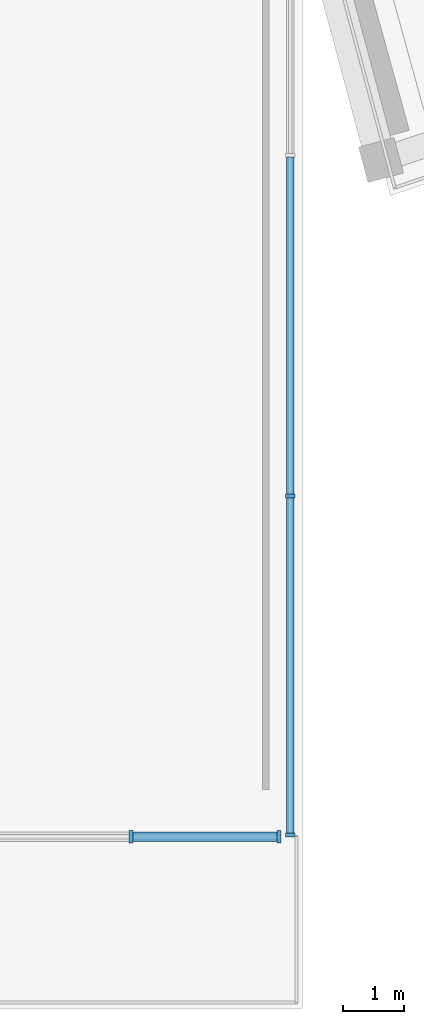
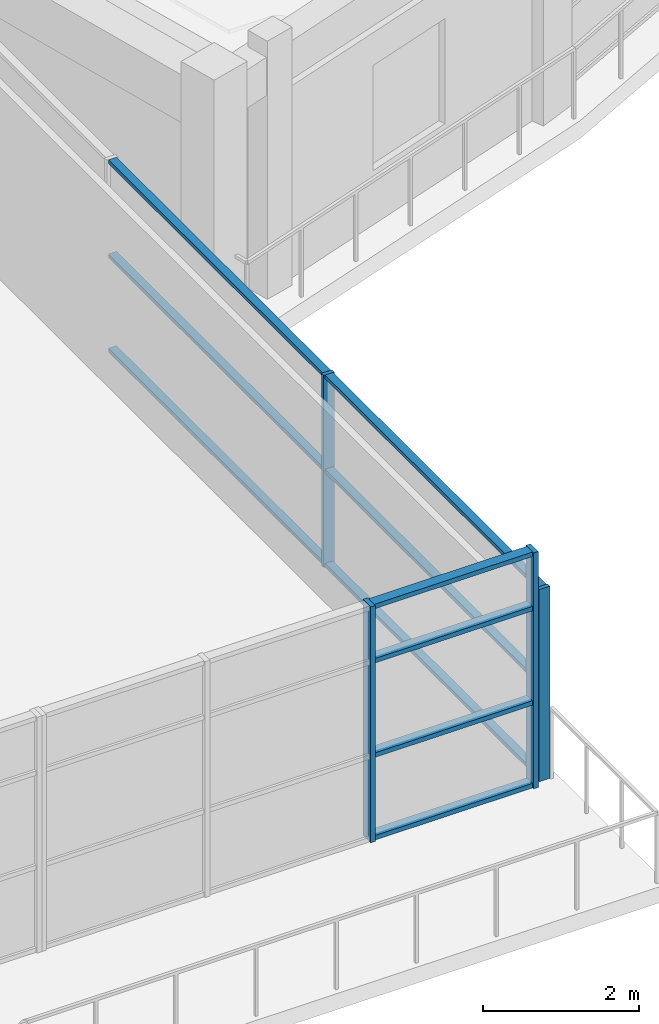
# One storey, part 17 of 83: 14 members, 2 elements without a shape of their own.
"""IFC4 building model written with IfcOpenShell, lengths in metres."""

from ifc_helpers import new_model, si_unit, direction, frame, origin, origin_2d, place, context, subcontext, project, spatial, rectangle, extrude, material, material_profile, profile_set, type_object, element, aggregate, save


model = new_model("IFC4")

# Units and contexts
model_context = context("Model", 3, precision=1e-05, world=origin(), true_north=direction((0.0, 1.0)))
body_context = subcontext(model_context, "Body", "Model", "MODEL_VIEW")
ifc_project = project(units=[si_unit("LENGTHUNIT", "METRE"), si_unit("AREAUNIT", "SQUARE_METRE"), si_unit("VOLUMEUNIT", "CUBIC_METRE"), si_unit("PLANEANGLEUNIT", "RADIAN"), si_unit("MASSUNIT", "GRAM", prefix="KILO")], contexts=[model_context])

# Site, building, storey
site_placement = place(None, origin())
site = spatial("IfcSite", under=ifc_project, at=site_placement, CompositionType="ELEMENT")
building_placement = place(site_placement, origin())
building = spatial("IfcBuilding", under=site, at=building_placement, Name="Saryqyr Civic Hall", CompositionType="ELEMENT")
storey_placement = place(building_placement, frame((0.0, 0.0, 9.14990234375)))
storey = spatial("IfcBuildingStorey", under=building, at=storey_placement, Name="L02", CompositionType="ELEMENT", Elevation=9.14990234375)

# Curtain wall, members
ifc_material_1 = material(Name="Anodised aluminium and triple low-E glass", Category="aluminium")
curtain_wall_type_1 = type_object("IfcCurtainWallType", Name="ENV-CW-STD-78", PredefinedType="NOTDEFINED", material=ifc_material_1)
curtain_wall_1_placement = place(storey_placement, origin())
curtain_wall_1 = element("IfcCurtainWall", 1, at=curtain_wall_1_placement, inside=storey, type_object=curtain_wall_type_1, Name="Curtain wall V2-VESTFLK-SE-L02", PredefinedType="NOTDEFINED")
ifc_material_2 = material(Name="Anodised aluminium", Category="aluminium")
ifc_material_profile_1 = material_profile(ifc_material_2, rectangle(XDim=0.06005859375, YDim=0.159912109375, at=origin_2d()), Name="ALU MULLION 60x160")
ifc_profile_set_1 = profile_set([ifc_material_profile_1], Name="Anodised aluminium")
member_type_1 = type_object("IfcMemberType", Name="ENV-CW-MUL-180", PredefinedType="MULLION", material=ifc_profile_set_1)
member_1_placement = place(storey_placement, frame((68.199951171875, 31.179443359375, 0.0), z_axis=(0.0, 0.0, 1.0), x_axis=(0.0, -1.0, 0.0)))
member_1 = element("IfcMember", 2, at=member_1_placement, type_object=member_type_1, Name="CW-78 mullion 3", PredefinedType="MULLION", context=body_context, shape_type="SweptSolid", body=[
    extrude(rectangle(XDim=0.06005859375, YDim=0.159912109375, at=origin_2d()), origin(), (0.0, 0.0, 1.0), 3.01513671875),
])
member_2_placement = place(storey_placement, frame((68.199951171875, 25.639892578125, 0.0), z_axis=(0.0, 0.0, 1.0), x_axis=(0.0, -1.0, 0.0)))
member_2 = element("IfcMember", 3, at=member_2_placement, type_object=member_type_1, Name="CW-78 mullion 4", PredefinedType="MULLION", context=body_context, shape_type="SweptSolid", body=[
    extrude(rectangle(XDim=0.06005859375, YDim=0.159912109375, at=origin_2d()), origin(), (0.0, 0.0, 1.0), 3.01513671875),
])

curtain_wall_type_2 = type_object("IfcCurtainWallType", Name="ENV-CW-HVY-69", PredefinedType="NOTDEFINED", material=ifc_material_1)
curtain_wall_2_placement = place(storey_placement, origin())
curtain_wall_2 = element("IfcCurtainWall", 4, at=curtain_wall_2_placement, inside=storey, type_object=curtain_wall_type_2, Name="Curtain wall V2-PORTAL-CW-S-L02-2", PredefinedType="NOTDEFINED")
ifc_material_profile_2 = material_profile(ifc_material_2, rectangle(XDim=0.070068359375, YDim=0.199951171875, at=origin_2d()), Name="ALU MULLION 70x200")
ifc_profile_set_2 = profile_set([ifc_material_profile_2], Name="Anodised aluminium")
member_type_2 = type_object("IfcMemberType", Name="ENV-CW-MUL-220", PredefinedType="MULLION", material=ifc_profile_set_2)
member_3_placement = place(storey_placement, frame((68.014892578125, 25.610107421875, 0.0), z_axis=(0.0, 0.0, 1.0), x_axis=(-1.0, 0.0, 0.0)))
member_3 = element("IfcMember", 5, at=member_3_placement, type_object=member_type_2, Name="CW-69 mullion 1", PredefinedType="MULLION", context=body_context, shape_type="SweptSolid", body=[
    extrude(rectangle(XDim=0.070068359375, YDim=0.199951171875, at=origin_2d()), origin(), (0.0, 0.0, 1.0), 3.7001953125),
])
member_4_placement = place(storey_placement, frame((65.594482421875, 25.610107421875, 0.0), z_axis=(0.0, 0.0, 1.0), x_axis=(-1.0, 0.0, 0.0)))
member_4 = element("IfcMember", 6, at=member_4_placement, type_object=member_type_2, Name="CW-69 mullion 2", PredefinedType="MULLION", context=body_context, shape_type="SweptSolid", body=[
    extrude(rectangle(XDim=0.070068359375, YDim=0.199951171875, at=origin_2d()), origin(), (0.0, 0.0, 1.0), 3.7001953125),
])

# Member
ifc_material_profile_3 = material_profile(ifc_material_2, rectangle(XDim=0.1201171875, YDim=0.06005859375, at=origin_2d()), Name="ALU TRANSOM 120x60")
ifc_profile_set_3 = profile_set([ifc_material_profile_3], Name="Anodised aluminium")
member_type_3 = type_object("IfcMemberType", Name="ENV-CW-TRN-150", PredefinedType="USERDEFINED", material=ifc_profile_set_3)
member_5_placement = place(storey_placement, frame((68.199951171875, 36.718994140625, 0.030029296875), z_axis=(0.0, -1.0, 0.0), x_axis=(1.0, 0.0, 0.0)))
member_5 = element("IfcMember", 7, at=member_5_placement, type_object=member_type_3, Name="CW-78 transom 2.1", ObjectType="TRANSOM", PredefinedType="USERDEFINED", context=body_context, shape_type="SweptSolid", body=[
    extrude(rectangle(XDim=0.1201171875, YDim=0.06005859375, at=origin_2d()), origin(), (0.0, 0.0, 1.0), 5.509521484375),
])

member_6_placement = place(storey_placement, frame((68.199951171875, 36.718994140625, 1.508056640625), z_axis=(0.0, -1.0, 0.0), x_axis=(1.0, 0.0, 0.0)))
member_6 = element("IfcMember", 8, at=member_6_placement, type_object=member_type_3, Name="CW-78 transom 2.2", ObjectType="TRANSOM", PredefinedType="USERDEFINED", context=body_context, shape_type="SweptSolid", body=[
    extrude(rectangle(XDim=0.1201171875, YDim=0.06005859375, at=origin_2d()), origin(), (0.0, 0.0, 1.0), 5.509521484375),
])

member_7_placement = place(storey_placement, frame((68.199951171875, 36.718994140625, 2.985107421875), z_axis=(0.0, -1.0, 0.0), x_axis=(1.0, 0.0, 0.0)))
member_7 = element("IfcMember", 9, at=member_7_placement, type_object=member_type_3, Name="CW-78 transom 2.3", ObjectType="TRANSOM", PredefinedType="USERDEFINED", context=body_context, shape_type="SweptSolid", body=[
    extrude(rectangle(XDim=0.1201171875, YDim=0.06005859375, at=origin_2d()), origin(), (0.0, 0.0, 1.0), 5.509521484375),
])

member_8_placement = place(storey_placement, frame((68.199951171875, 31.1494140625, 0.030029296875), z_axis=(0.0, -1.0, 0.0), x_axis=(1.0, 0.0, 0.0)))
member_8 = element("IfcMember", 10, at=member_8_placement, type_object=member_type_3, Name="CW-78 transom 3.1", ObjectType="TRANSOM", PredefinedType="USERDEFINED", context=body_context, shape_type="SweptSolid", body=[
    extrude(rectangle(XDim=0.1201171875, YDim=0.06005859375, at=origin_2d()), origin(), (0.0, 0.0, 1.0), 5.4794921875),
])

member_9_placement = place(storey_placement, frame((68.199951171875, 31.1494140625, 1.508056640625), z_axis=(0.0, -1.0, 0.0), x_axis=(1.0, 0.0, 0.0)))
member_9 = element("IfcMember", 11, at=member_9_placement, type_object=member_type_3, Name="CW-78 transom 3.2", ObjectType="TRANSOM", PredefinedType="USERDEFINED", context=body_context, shape_type="SweptSolid", body=[
    extrude(rectangle(XDim=0.1201171875, YDim=0.06005859375, at=origin_2d()), origin(), (0.0, 0.0, 1.0), 5.4794921875),
])

member_10_placement = place(storey_placement, frame((68.199951171875, 31.1494140625, 2.985107421875), z_axis=(0.0, -1.0, 0.0), x_axis=(1.0, 0.0, 0.0)))
member_10 = element("IfcMember", 12, at=member_10_placement, type_object=member_type_3, Name="CW-78 transom 3.3", ObjectType="TRANSOM", PredefinedType="USERDEFINED", context=body_context, shape_type="SweptSolid", body=[
    extrude(rectangle(XDim=0.1201171875, YDim=0.06005859375, at=origin_2d()), origin(), (0.0, 0.0, 1.0), 5.4794921875),
])

aggregate(curtain_wall_1, [member_1, member_2, member_5, member_6, member_7, member_8, member_9, member_10])

ifc_material_profile_4 = material_profile(ifc_material_2, rectangle(XDim=0.14990234375, YDim=0.070068359375, at=origin_2d()), Name="ALU TRANSOM 150x70")
ifc_profile_set_4 = profile_set([ifc_material_profile_4], Name="Anodised aluminium")
member_type_4 = type_object("IfcMemberType", Name="ENV-CW-TRN-180", PredefinedType="USERDEFINED", material=ifc_profile_set_4)
member_11_placement = place(storey_placement, frame((67.97998046875, 25.610107421875, 0.03515625), z_axis=(-1.0, 0.0, 0.0), x_axis=(0.0, -1.0, 0.0)))
member_11 = element("IfcMember", 13, at=member_11_placement, type_object=member_type_4, Name="CW-69 transom 1.1", ObjectType="TRANSOM", PredefinedType="USERDEFINED", context=body_context, shape_type="SweptSolid", body=[
    extrude(rectangle(XDim=0.14990234375, YDim=0.070068359375, at=origin_2d()), origin(), (0.0, 0.0, 1.0), 2.3505859375),
])

member_12_placement = place(storey_placement, frame((67.97998046875, 25.610107421875, 1.33203125), z_axis=(-1.0, 0.0, 0.0), x_axis=(0.0, -1.0, 0.0)))
member_12 = element("IfcMember", 14, at=member_12_placement, type_object=member_type_4, Name="CW-69 transom 1.2", ObjectType="TRANSOM", PredefinedType="USERDEFINED", context=body_context, shape_type="SweptSolid", body=[
    extrude(rectangle(XDim=0.14990234375, YDim=0.070068359375, at=origin_2d()), origin(), (0.0, 0.0, 1.0), 2.3505859375),
])

member_13_placement = place(storey_placement, frame((67.97998046875, 25.610107421875, 2.81201171875), z_axis=(-1.0, 0.0, 0.0), x_axis=(0.0, -1.0, 0.0)))
member_13 = element("IfcMember", 15, at=member_13_placement, type_object=member_type_4, Name="CW-69 transom 1.3", ObjectType="TRANSOM", PredefinedType="USERDEFINED", context=body_context, shape_type="SweptSolid", body=[
    extrude(rectangle(XDim=0.14990234375, YDim=0.070068359375, at=origin_2d()), origin(), (0.0, 0.0, 1.0), 2.3505859375),
])

member_14_placement = place(storey_placement, frame((67.97998046875, 25.610107421875, 3.6650390625), z_axis=(-1.0, 0.0, 0.0), x_axis=(0.0, -1.0, 0.0)))
member_14 = element("IfcMember", 16, at=member_14_placement, type_object=member_type_4, Name="CW-69 transom 1.4", ObjectType="TRANSOM", PredefinedType="USERDEFINED", context=body_context, shape_type="SweptSolid", body=[
    extrude(rectangle(XDim=0.14990234375, YDim=0.070068359375, at=origin_2d()), origin(), (0.0, 0.0, 1.0), 2.3505859375),
])

aggregate(curtain_wall_2, [member_3, member_4, member_11, member_12, member_13, member_14])

save(model, "model.ifc")
